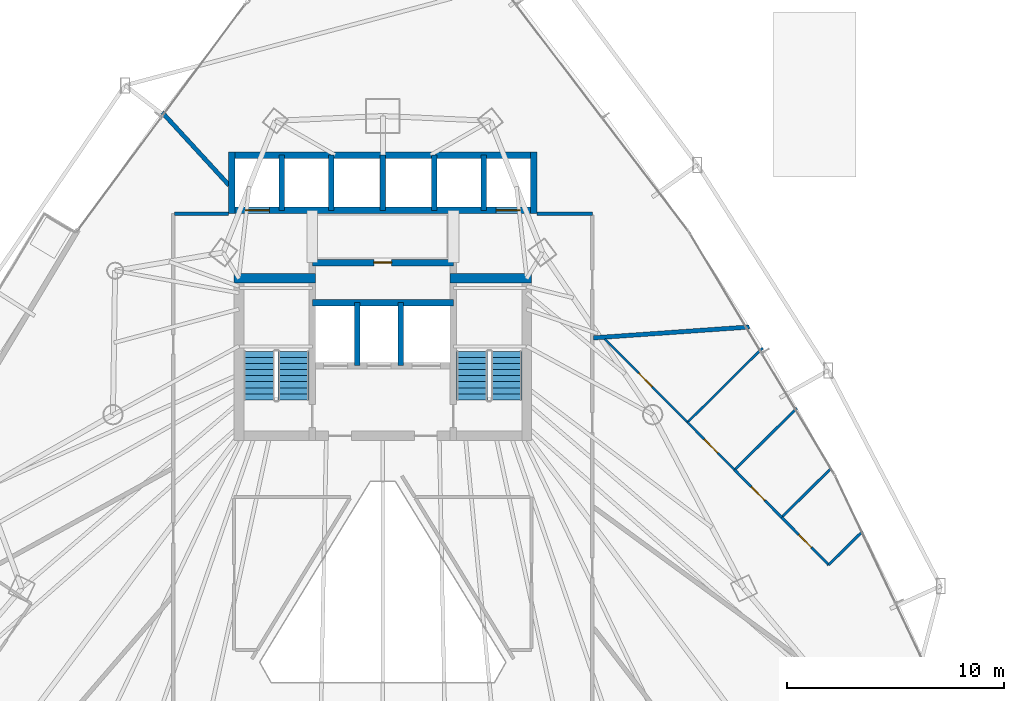
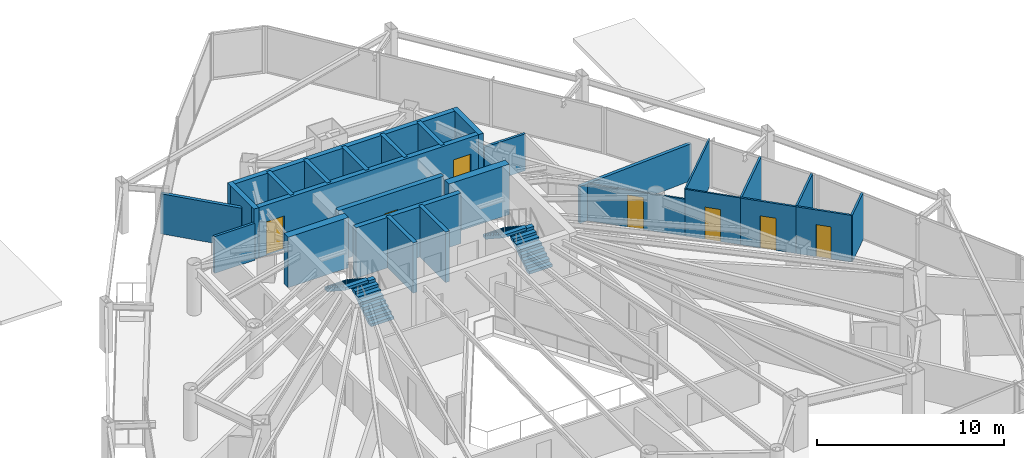
# One storey, part 31 of 35: 27 walls, 7 doors, 4 stair flights, 7 openings, 2 elements without a shape of their own.
"""IFC4 building model written with IfcOpenShell, lengths in metres."""

import ifcopenshell
import ifcopenshell.guid

model = None  # the IFC model being written
_history = None  # IfcOwnerHistory: only IFC2X3 demands one
_inside = {}  # id of a spatial element -> (the spatial element, [elements in it])
_under = {}  # id of a project, library or spatial element -> (it, [spatial elements below it])
_declared = {}  # id of a project -> (the project, [libraries it declares])
_typed = {}  # id of a type object -> (the type object, [elements of that type])
_made_of = {}  # id of a material, layer set ... -> (it, [elements and type objects made of it])


def new_model(schema):
    """Start an empty IFC model of exactly this schema.

    Asked for "IFC4X3", IfcOpenShell would pick the latest addendum, in which some entities
    have other attributes; the version numbers below select the first issue.
    IFC2X3 requires an IfcOwnerHistory on every rooted entity: one is made here for all.
    """
    global model, _history
    if schema == "IFC4X3":
        model = ifcopenshell.file(schema_version=(4, 3, 0, 0))
    else:
        model = ifcopenshell.file(schema=schema)
    _inside.clear()
    _under.clear()
    _declared.clear()
    _typed.clear()
    _made_of.clear()
    _history = None
    if model.schema == "IFC2X3":
        org = make("IfcOrganization", Name="unknown")
        user = make(
            "IfcPersonAndOrganization",
            ThePerson=make("IfcPerson", FamilyName="unknown"),
            TheOrganization=org,
        )
        app = make(
            "IfcApplication",
            ApplicationDeveloper=org,
            Version="unknown",
            ApplicationFullName="unknown",
            ApplicationIdentifier="unknown",
        )
        _history = make(
            "IfcOwnerHistory",
            OwningUser=user,
            OwningApplication=app,
            ChangeAction="ADDED",
            CreationDate=0,
        )
    return model


def make(cls, **values):
    """One entity of the class cls with the attributes given. An attribute that is None is left unset."""
    return model.create_entity(
        cls, **{name: value for name, value in values.items() if value is not None}
    )


def rooted(cls, **values):
    """An entity with a GlobalId (a new one), such as an element, a storey or a relation."""
    return make(cls, GlobalId=ifcopenshell.guid.new(), OwnerHistory=_history, **values)


def si_unit(unit_type, name, prefix=None):
    """IfcSIUnit, for example si_unit("LENGTHUNIT", "METRE", prefix="MILLI")."""
    return make("IfcSIUnit", UnitType=unit_type, Prefix=prefix, Name=name)


def assignment(units):
    """IfcUnitAssignment: the units of a project."""
    return None if units is None else make("IfcUnitAssignment", Units=units)


def point(xyz):
    """IfcCartesianPoint."""
    return None if xyz is None else make("IfcCartesianPoint", Coordinates=xyz)


def direction(xyz):
    """IfcDirection."""
    return None if xyz is None else make("IfcDirection", DirectionRatios=xyz)


def frame(location, z_axis=None, x_axis=None):
    """IfcAxis2Placement3D, a coordinate frame: its origin and axes. An axis left out is left unset."""
    return make(
        "IfcAxis2Placement3D",
        Location=point(location),
        Axis=direction(z_axis),
        RefDirection=direction(x_axis),
    )


def frame_2d(location, x_axis=None):
    """IfcAxis2Placement2D, a coordinate frame in the plane: its origin and x axis."""
    return make(
        "IfcAxis2Placement2D", Location=point(location), RefDirection=direction(x_axis)
    )


def origin():
    """The frame at (0, 0, 0) with its axes left unset."""
    return frame((0.0, 0.0, 0.0))


def place(relative_to, where):
    """IfcLocalPlacement: puts the frame where relative to a parent placement (None: the world)."""
    return make(
        "IfcLocalPlacement", PlacementRelTo=relative_to, RelativePlacement=where
    )


def context(
    kind, dimensions, precision=None, world=None, true_north=None, identifier=None
):
    """IfcGeometricRepresentationContext, for example the 3D "Model" context."""
    return make(
        "IfcGeometricRepresentationContext",
        ContextIdentifier=identifier,
        ContextType=kind,
        CoordinateSpaceDimension=dimensions,
        Precision=precision,
        WorldCoordinateSystem=world,
        TrueNorth=true_north,
    )


def subcontext(parent, identifier, kind, view, scale=None):
    """IfcGeometricRepresentationSubContext, for example "Body" below "Model"."""
    return make(
        "IfcGeometricRepresentationSubContext",
        ContextIdentifier=identifier,
        ContextType=kind,
        ParentContext=parent,
        TargetScale=scale,
        TargetView=view,
    )


def project(units=None, contexts=None):
    """IfcProject with its units and contexts."""
    return rooted(
        "IfcProject",
        Name="project",
        RepresentationContexts=contexts,
        UnitsInContext=assignment(units),
    )


def spatial(cls, under=None, at=None, **own):
    """A site, building, storey or space (cls), placed at a placement, below another one or the project."""
    s = rooted(cls, ObjectPlacement=at, **own)
    if under is not None:
        _under.setdefault(under.id(), (under, []))[1].append(s)
    return s


def polyline(points):
    """IfcPolyline through the points."""
    return make("IfcPolyline", Points=[point(p) for p in points])


def profile(cls, at=None, kind="AREA", **sizes):
    """A parametric profile (cls). Its sizes go by their IFC names, for example OverallWidth=200.0."""
    return make(cls, ProfileType=kind, Position=at, **sizes)


def rectangle(**sizes):
    """IfcRectangleProfileDef."""
    return profile("IfcRectangleProfileDef", **sizes)


def outline(outer, holes=None, kind="AREA"):
    """IfcArbitraryClosedProfileDef: a profile drawn as a closed curve; with holes, ...WithVoids."""
    if holes is None:
        return make("IfcArbitraryClosedProfileDef", ProfileType=kind, OuterCurve=outer)
    return make(
        "IfcArbitraryProfileDefWithVoids",
        ProfileType=kind,
        OuterCurve=outer,
        InnerCurves=holes,
    )


def extrude(swept, where, along, depth):
    """IfcExtrudedAreaSolid: the profile swept, set in the frame where, extruded along a direction by depth."""
    return make(
        "IfcExtrudedAreaSolid",
        SweptArea=swept,
        Position=where,
        ExtrudedDirection=direction(along),
        Depth=depth,
    )


def shape(context_of_items, identifier, shape_type, items):
    """IfcShapeRepresentation: the items that make up one representation, for example the "Body"."""
    return make(
        "IfcShapeRepresentation",
        ContextOfItems=context_of_items,
        RepresentationIdentifier=identifier,
        RepresentationType=shape_type,
        Items=items,
    )


def material(Name=None, Category=None):
    """IfcMaterial."""
    return make("IfcMaterial", Name=Name, Category=Category)


def layer(
    of_material, thickness, ventilated=None, Name=None, Category=None, Priority=None
):
    """IfcMaterialLayer: one layer of a wall or slab, of a material (None: an air gap)."""
    return make(
        "IfcMaterialLayer",
        Material=of_material,
        LayerThickness=thickness,
        IsVentilated=ventilated,
        Name=Name,
        Category=Category,
        Priority=Priority,
    )


def layer_set(layers, Name=None):
    """IfcMaterialLayerSet."""
    return make("IfcMaterialLayerSet", MaterialLayers=layers, LayerSetName=Name)


def made_of(thing, what):
    """Note that an element or type object is made of a material, layer set ...; save() writes the relation."""
    if what is not None:
        _made_of.setdefault(what.id(), (what, []))[1].append(thing)
    return thing


def type_object(cls, material=None, **own):
    """A type object (cls), such as IfcWallType, which elements share."""
    return made_of(rooted(cls, **own), material)


def element(
    cls,
    number,
    at=None,
    inside=None,
    cuts=None,
    type_object=None,
    material=None,
    context=None,
    identifier="Body",
    shape_type=None,
    held_by="IfcProductDefinitionShape",
    body=None,
    shapes=None,
    **own,
):
    """One element of the class cls, such as IfcWall. Its Tag is "e" and its number.

    at: its placement. inside: the storey or other place that contains it. cuts: it is an
    opening in that element (IfcRelVoidsElement). A single representation is given by context,
    identifier, shape_type and body (its items); several are given by shapes. held_by: the class
    of the entity that holds the representations. save() writes the other relations.
    """
    e = rooted(cls, Tag="e%d" % number, ObjectPlacement=at, **own)
    if body is not None:
        shapes = [shape(context, identifier, shape_type, body)]
    if shapes is not None:
        e.Representation = make(held_by, Representations=shapes)
    if inside is not None:
        _inside.setdefault(inside.id(), (inside, []))[1].append(e)
    if cuts is not None:
        rooted(
            "IfcRelVoidsElement", RelatingBuildingElement=cuts, RelatedOpeningElement=e
        )
    if type_object is not None:
        _typed.setdefault(type_object.id(), (type_object, []))[1].append(e)
    return made_of(e, material)


def fill(opening, filler):
    """IfcRelFillsElement: the door or window that sits in an opening."""
    return rooted(
        "IfcRelFillsElement",
        RelatingOpeningElement=opening,
        RelatedBuildingElement=filler,
    )


def aggregate(whole, parts):
    """IfcRelAggregates: a whole, such as a stair, and the parts it consists of."""
    return rooted("IfcRelAggregates", RelatingObject=whole, RelatedObjects=parts)


def save(model, path):
    """Write the relations noted so far, then the file.

    IfcRelAggregates (storeys below a building ...), IfcRelContainedInSpatialStructure (elements
    in a storey), IfcRelDefinesByType, IfcRelAssociatesMaterial and IfcRelDeclares: one each for
    every whole, place, type object, material and project.
    """
    for whole, parts in _under.values():
        aggregate(whole, parts)
    for where, things in _inside.values():
        rooted(
            "IfcRelContainedInSpatialStructure",
            RelatedElements=things,
            RelatingStructure=where,
        )
    for kind, things in _typed.values():
        rooted("IfcRelDefinesByType", RelatedObjects=things, RelatingType=kind)
    for what, things in _made_of.values():
        rooted("IfcRelAssociatesMaterial", RelatedObjects=things, RelatingMaterial=what)
    for by, libraries in _declared.values():
        rooted("IfcRelDeclares", RelatingContext=by, RelatedDefinitions=libraries)
    model.write(path)


model = new_model("IFC4")

# Units and contexts
model_context = context("Model", 3, precision=1e-05, world=origin(), true_north=direction((0.0, 1.0)))
body_context = subcontext(model_context, "Body", "Model", "MODEL_VIEW")
ifc_project = project(units=[si_unit("LENGTHUNIT", "METRE"), si_unit("AREAUNIT", "SQUARE_METRE"), si_unit("VOLUMEUNIT", "CUBIC_METRE"), si_unit("PLANEANGLEUNIT", "RADIAN"), si_unit("MASSUNIT", "GRAM", prefix="KILO")], contexts=[model_context])

# Site, building, storey
site_placement = place(None, origin())
site = spatial("IfcSite", under=ifc_project, at=site_placement, CompositionType="ELEMENT")
building_placement = place(site_placement, origin())
building = spatial("IfcBuilding", under=site, at=building_placement, Name="Orvanel Arch Residences", CompositionType="ELEMENT")
storey_placement = place(building_placement, frame((0.0, 0.0, 26.89990234375)))
storey = spatial("IfcBuildingStorey", under=building, at=storey_placement, Name="L06", CompositionType="ELEMENT", Elevation=26.89990234375)

# Walls
ifc_material_1 = material(Name="Concrete N50 (50 MPa)", Category="concrete")
ifc_layer_1 = layer(ifc_material_1, 0.25)
ifc_layer_set_1 = layer_set([ifc_layer_1], Name="Concrete N50 (50 MPa)")
wall_type_1 = type_object("IfcWallType", Name="SW-CORE-250", PredefinedType="SHEAR", material=ifc_layer_set_1)
for number, where, z_axis, x_axis, name in (
    (1, (31.824951171875, 29.89990234375, 0.0), (0.0, 0.0, 1.0), (0.0, 1.0, 0.0), "L06 Emergency Lift Inter-Shaft Wall F12"),
    (2, (33.824951171875, 29.89990234375, 0.0), (0.0, 0.0, 1.0), (0.0, 1.0, 0.0), "L06 Emergency Lift Inter-Shaft Wall F2G"),
):
    element("IfcWall", number, at=place(storey_placement, frame(where, z_axis=z_axis, x_axis=x_axis)), inside=storey, type_object=wall_type_1, Name=name, PredefinedType="SHEAR", context=body_context, shape_type="SweptSolid", body=[
        extrude(rectangle(XDim=2.900146484375, YDim=0.25, at=frame_2d((1.4501953125, 0.0))), origin(), (0.0, 0.0, 1.0), 3.300048828125),
    ])
for number, where, z_axis, x_axis, name in (
    (3, (28.35009765625, 37.050048828125, 0.0), (0.0, 0.0, 1.0), (0.0, 1.0, 0.0), "L06 Passenger Lift Inter-Shaft Wall P13"),
    (4, (30.625, 37.050048828125, 0.0), (0.0, 0.0, 1.0), (0.0, 1.0, 0.0), "L06 Passenger Lift Inter-Shaft Wall P35"),
    (5, (33.0, 37.050048828125, 0.0), (0.0, 0.0, 1.0), (0.0, 1.0, 0.0), "L06 Passenger Lift Inter-Shaft Wall P56"),
    (6, (35.375, 37.050048828125, 0.0), (0.0, 0.0, 1.0), (0.0, 1.0, 0.0), "L06 Passenger Lift Inter-Shaft Wall P64"),
    (7, (37.64990234375, 37.050048828125, 0.0), (0.0, 0.0, 1.0), (0.0, 1.0, 0.0), "L06 Passenger Lift Inter-Shaft Wall P42"),
):
    element("IfcWall", number, at=place(storey_placement, frame(where, z_axis=z_axis, x_axis=x_axis)), inside=storey, type_object=wall_type_1, Name=name, PredefinedType="SHEAR", context=body_context, shape_type="SweptSolid", body=[
        extrude(rectangle(XDim=2.550048828125, YDim=0.25, at=frame_2d((1.27490234375, 0.0))), origin(), (0.0, 0.0, 1.0), 3.300048828125),
    ])
ifc_material_2 = material(Name="Concrete S80 (80 MPa)", Category="concrete")
ifc_layer_2 = layer(ifc_material_2, 0.300048828125)
ifc_layer_set_2 = layer_set([ifc_layer_2], Name="Concrete S80 (80 MPa)")
wall_type_2 = type_object("IfcWallType", Name="SW-CORE-300", PredefinedType="SHEAR", material=ifc_layer_set_2)
wall_1_placement = place(storey_placement, frame((29.75, 32.800048828125, 0.0), z_axis=(0.0, 0.0, 1.0), x_axis=(1.0, 0.0, 0.0)))
element("IfcWall", 8, at=wall_1_placement, inside=storey, type_object=wall_type_2, Name="L06 Emergency Lift Back Core Shear Wall", PredefinedType="SHEAR", context=body_context, shape_type="SweptSolid", body=[
    extrude(rectangle(XDim=6.5, YDim=0.300048828125, at=frame_2d((3.25, 0.0))), origin(), (0.0, 0.0, 1.0), 3.300048828125),
])

# Wall, opening, door
wall_2_placement = place(storey_placement, frame((29.75, 34.64990234375, 0.0), z_axis=(0.0, 0.0, 1.0), x_axis=(1.0, 0.0, 0.0)))
wall_2 = element("IfcWall", 9, at=wall_2_placement, inside=storey, type_object=wall_type_2, Name="L06 Core Service Band North Shear Wall", PredefinedType="SHEAR", context=body_context, shape_type="SweptSolid", body=[
    extrude(rectangle(XDim=6.5, YDim=0.300048828125, at=frame_2d((3.25, 0.0))), origin(), (0.0, 0.0, 1.0), 3.300048828125),
])
opening_1_placement = place(wall_2_placement, frame((2.840087890625, 0.0, 0.0)))
opening_1 = element("IfcOpeningElement", 10, at=opening_1_placement, cuts=wall_2, Name="Opening DS-082", PredefinedType="OPENING", context=body_context, shape_type="SweptSolid", body=[
    extrude(rectangle(XDim=0.820068359375, YDim=2.10009765625, at=frame_2d((0.41015625, 1.050048828125))), frame((0.0, 0.159912109375, 0.0), z_axis=(0.0, -1.0, 0.0), x_axis=(1.0, 0.0, 0.0)), (0.0, 0.0, 1.0), 0.320068359375),
])
ifc_material_3 = material(Name="Galvanised steel fire-resisting door assembly", Category="steel")
door_type_1 = type_object("IfcDoorType", Name="DR-SVC-820", OperationType="NOTDEFINED", PredefinedType="DOOR", material=ifc_material_3)
door_1_placement = place(opening_1_placement, origin())
door_1 = element("IfcDoor", 11, at=door_1_placement, inside=storey, type_object=door_type_1, Name="DR-L06-CSVC-1 L06 Housekeeping Linen Store Door", OperationType="SINGLE_SWING_LEFT", OverallHeight=2.10009765625, OverallWidth=0.820068359375, PredefinedType="DOOR", context=body_context, shape_type="SweptSolid", body=[
    extrude(rectangle(XDim=0.820068359375, YDim=2.10009765625, at=frame_2d((0.41015625, 1.050048828125))), frame((0.0, 0.02490234375, 0.0), z_axis=(0.0, -1.0, 0.0), x_axis=(1.0, 0.0, 0.0)), (0.0, 0.0, 1.0), 0.050048828125),
])
fill(opening_1, door_1)

# Wall, openings, doors
wall_3_placement = place(storey_placement, frame((40.10009765625, 37.050048828125, 0.0), z_axis=(0.0, 0.0, 1.0), x_axis=(-1.0, 0.0, 0.0)))
wall_3 = element("IfcWall", 12, at=wall_3_placement, inside=storey, type_object=wall_type_2, Name="L06 Passenger Lift Bank Front Shear Wall", PredefinedType="SHEAR", context=body_context, shape_type="SweptSolid", body=[
    extrude(rectangle(XDim=14.2001953125, YDim=0.300048828125, at=frame_2d((7.10009765625, 0.0))), origin(), (0.0, 0.0, 1.0), 3.300048828125),
])
opening_2_placement = place(wall_3_placement, frame((12.324951171875, 0.0, 0.0)))
opening_2 = element("IfcOpeningElement", 13, at=opening_2_placement, cuts=wall_3, Name="Opening LD-110", PredefinedType="OPENING", context=body_context, shape_type="SweptSolid", body=[
    extrude(rectangle(XDim=1.10009765625, YDim=2.199951171875, at=frame_2d((0.550048828125, 1.10009765625))), frame((0.0, 0.159912109375, 0.0), z_axis=(0.0, -1.0, 0.0), x_axis=(1.0, 0.0, 0.0)), (0.0, 0.0, 1.0), 0.320068359375),
])
opening_3_placement = place(wall_3_placement, frame((0.77490234375, 0.0, 0.0)))
opening_3 = element("IfcOpeningElement", 14, at=opening_3_placement, cuts=wall_3, Name="Opening LD-110", PredefinedType="OPENING", context=body_context, shape_type="SweptSolid", body=[
    extrude(rectangle(XDim=1.10009765625, YDim=2.199951171875, at=frame_2d((0.550048828125, 1.10009765625))), frame((0.0, 0.159912109375, 0.0), z_axis=(0.0, -1.0, 0.0), x_axis=(1.0, 0.0, 0.0)), (0.0, 0.0, 1.0), 0.320068359375),
])
door_type_2 = type_object("IfcDoorType", Name="DR-LFT-1100", OperationType="NOTDEFINED", PredefinedType="DOOR", material=ifc_material_3)
door_2_placement = place(opening_2_placement, origin())
door_2 = element("IfcDoor", 15, at=door_2_placement, inside=storey, type_object=door_type_2, Name="LD-P1-L06 L06 Passenger Lift P1 Sliding Landing Door", OperationType="DOUBLE_DOOR_SLIDING", OverallHeight=2.199951171875, OverallWidth=1.10009765625, PredefinedType="DOOR", context=body_context, shape_type="SweptSolid", body=[
    extrude(rectangle(XDim=1.10009765625, YDim=2.199951171875, at=frame_2d((0.550048828125, 1.10009765625))), frame((0.0, 0.02490234375, 0.0), z_axis=(0.0, -1.0, 0.0), x_axis=(1.0, 0.0, 0.0)), (0.0, 0.0, 1.0), 0.050048828125),
])
fill(opening_2, door_2)
door_3_placement = place(opening_3_placement, origin())
door_3 = element("IfcDoor", 16, at=door_3_placement, inside=storey, type_object=door_type_2, Name="LD-P2-L06 L06 Passenger Lift P2 Sliding Landing Door", OperationType="DOUBLE_DOOR_SLIDING", OverallHeight=2.199951171875, OverallWidth=1.10009765625, PredefinedType="DOOR", context=body_context, shape_type="SweptSolid", body=[
    extrude(rectangle(XDim=1.10009765625, YDim=2.199951171875, at=frame_2d((0.550048828125, 1.10009765625))), frame((0.0, 0.02490234375, 0.0), z_axis=(0.0, -1.0, 0.0), x_axis=(1.0, 0.0, 0.0)), (0.0, 0.0, 1.0), 0.050048828125),
])
fill(opening_3, door_3)

# Walls
wall_4_placement = place(storey_placement, frame((25.89990234375, 39.60009765625, 0.0), z_axis=(0.0, 0.0, 1.0), x_axis=(1.0, 0.0, 0.0)))
element("IfcWall", 17, at=wall_4_placement, inside=storey, type_object=wall_type_2, Name="L06 Passenger Lift Bank North Shear Wall", PredefinedType="SHEAR", context=body_context, shape_type="SweptSolid", body=[
    extrude(rectangle(XDim=14.2001953125, YDim=0.300048828125, at=frame_2d((7.10009765625, 0.0))), origin(), (0.0, 0.0, 1.0), 3.300048828125),
])
for number, where, z_axis, x_axis, name in (
    (18, (26.050048828125, 36.89990234375, 0.0), (0.0, 0.0, 1.0), (0.0, 1.0, 0.0), "L06 Passenger Lift Bank West Shear Wall"),
    (19, (39.949951171875, 36.89990234375, 0.0), (0.0, 0.0, 1.0), (0.0, 1.0, 0.0), "L06 Passenger Lift Bank East Shear Wall"),
):
    element("IfcWall", number, at=place(storey_placement, frame(where, z_axis=z_axis, x_axis=x_axis)), inside=storey, type_object=wall_type_2, Name=name, PredefinedType="SHEAR", context=body_context, shape_type="SweptSolid", body=[
        extrude(rectangle(XDim=2.85009765625, YDim=0.300048828125, at=frame_2d((1.425048828125, 0.0))), origin(), (0.0, 0.0, 1.0), 3.300048828125),
    ])
ifc_layer_3 = layer(ifc_material_2, 0.449951171875)
ifc_layer_set_3 = layer_set([ifc_layer_3], Name="Concrete S80 (80 MPa)")
wall_type_3 = type_object("IfcWallType", Name="SW-CORE-450", PredefinedType="SHEAR", material=ifc_layer_set_3)
for number, where, z_axis, x_axis, name in (
    (20, (26.14990234375, 33.925048828125, 0.0), (0.0, 0.0, 1.0), (1.0, 0.0, 0.0), "L06 West Stair North Shear Wall"),
    (21, (36.10009765625, 33.925048828125, 0.0), (0.0, 0.0, 1.0), (1.0, 0.0, 0.0), "L06 East Stair North Shear Wall"),
):
    element("IfcWall", number, at=place(storey_placement, frame(where, z_axis=z_axis, x_axis=x_axis)), inside=storey, type_object=wall_type_3, Name=name, PredefinedType="SHEAR", context=body_context, shape_type="SweptSolid", body=[
        extrude(rectangle(XDim=3.75, YDim=0.449951171875, at=frame_2d((1.875, 0.0))), origin(), (0.0, 0.0, 1.0), 3.300048828125),
    ])
ifc_material_4 = material(Name="Fire-rated plasterboard lined steel stud partition", Category="steel")
ifc_layer_4 = layer(ifc_material_4, 0.14990234375)
ifc_layer_set_4 = layer_set([ifc_layer_4], Name="Fire-rated plasterboard lined steel stud partition")
wall_type_4 = type_object("IfcWallType", Name="W-COR-150", PredefinedType="PARTITIONING", material=ifc_layer_set_4)
wall_5_placement = place(storey_placement, frame((40.10009765625, 36.89990234375, 0.0), z_axis=(0.0, 0.0, 1.0), x_axis=(1.0, 0.0, 0.0)))
element("IfcWall", 22, at=wall_5_placement, inside=storey, type_object=wall_type_4, Name="L06 Corridor Fire-Rated Partition", PredefinedType="PARTITIONING", context=body_context, shape_type="SweptSolid", body=[
    extrude(rectangle(XDim=2.5498046875, YDim=0.14990234375, at=frame_2d((1.27490234375, 0.0))), origin(), (0.0, 0.0, 1.0), 2.4130859375),
])
wall_6_placement = place(storey_placement, frame((23.409912109375, 36.89990234375, 0.0), z_axis=(0.0, 0.0, 1.0), x_axis=(1.0, 0.0, 0.0)))
element("IfcWall", 23, at=wall_6_placement, inside=storey, type_object=wall_type_4, Name="L06 Corridor Fire-Rated Partition", PredefinedType="PARTITIONING", context=body_context, shape_type="SweptSolid", body=[
    extrude(rectangle(XDim=2.489990234375, YDim=0.14990234375, at=frame_2d((1.2451171875, 0.0))), origin(), (0.0, 0.0, 1.0), 2.4130859375),
])
ifc_layer_5 = layer(ifc_material_4, 0.199951171875)
ifc_layer_set_5 = layer_set([ifc_layer_5], Name="Fire-rated plasterboard lined steel stud partition")
wall_type_5 = type_object("IfcWallType", Name="W-DEM-200", PredefinedType="PARTITIONING", material=ifc_layer_set_5)
wall_7_placement = place(storey_placement, frame((49.881103515625, 31.679931640625, 0.0), z_axis=(0.0, 0.0, 1.0), x_axis=(-0.997568680722, -0.069690223431, 0.0)))
element("IfcWall", 24, at=wall_7_placement, inside=storey, type_object=wall_type_5, Name="L06 Inter-Tenancy Acoustic Demising Wall", PredefinedType="PARTITIONING", context=body_context, shape_type="SweptSolid", body=[
    extrude(rectangle(XDim=7.188720703125, YDim=0.199951171875, at=frame_2d((3.59423828125, 0.0))), origin(), (0.0, 0.0, 1.0), 2.4130859375),
])
wall_8_placement = place(storey_placement, frame((25.9150390625, 38.212890625, 0.0), z_axis=(0.0, 0.0, 1.0), x_axis=(-0.676584398078, 0.736365094418, 0.0)))
element("IfcWall", 25, at=wall_8_placement, inside=storey, type_object=wall_type_5, Name="L06 Inter-Tenancy Acoustic Demising Wall", PredefinedType="PARTITIONING", context=body_context, shape_type="SweptSolid", body=[
    extrude(rectangle(XDim=4.549560546875, YDim=0.199951171875, at=frame_2d((2.27490234375, 0.0))), origin(), (0.0, 0.0, 1.0), 2.619140625),
])

# Wall, opening, door
ifc_material_5 = material(Name="Acoustic plasterboard lined twin-stud partition", Category="gypsum")
ifc_layer_6 = layer(ifc_material_5, 0.10009765625)
ifc_layer_set_6 = layer_set([ifc_layer_6], Name="Acoustic plasterboard lined twin-stud partition")
wall_type_6 = type_object("IfcWallType", Name="W-INT-100", PredefinedType="PARTITIONING", material=ifc_layer_set_6)
wall_9_placement = place(storey_placement, frame((47.034912109375, 27.285888671875, 0.0), z_axis=(0.0, 0.0, 1.0), x_axis=(0.703849557614, -0.710349069294, 0.0)))
wall_9 = element("IfcWall", 26, at=wall_9_placement, inside=storey, type_object=wall_type_6, Name="L06 Flat F Internal Partition", PredefinedType="PARTITIONING", context=body_context, shape_type="SweptSolid", body=[
    extrude(rectangle(XDim=3.080078125, YDim=0.10009765625, at=frame_2d((1.5400390625, 0.0))), origin(), (0.0, 0.0, 1.0), 3.06005859375),
])
opening_4_placement = place(wall_9_placement, frame((1.10009765625, 0.0, 0.0)))
opening_4 = element("IfcOpeningElement", 27, at=opening_4_placement, cuts=wall_9, Name="Opening DI-088", PredefinedType="OPENING", context=body_context, shape_type="SweptSolid", body=[
    extrude(rectangle(XDim=0.8798828125, YDim=2.10009765625, at=frame_2d((0.43994140625, 1.050048828125))), frame((0.0, 0.06005859375, 0.0), z_axis=(0.0, -1.0, 0.0), x_axis=(1.0, 0.0, 0.0)), (0.0, 0.0, 1.0), 0.1201171875),
])
ifc_material_6 = material(Name="Solid-core European oak veneer fire door leaf", Category="wood")
door_type_3 = type_object("IfcDoorType", Name="DR-INT-880", OperationType="NOTDEFINED", PredefinedType="DOOR", material=ifc_material_6)
door_4_placement = place(opening_4_placement, origin())
door_4 = element("IfcDoor", 28, at=door_4_placement, inside=storey, type_object=door_type_3, Name="DR-L06-F-BED1 L06 Flat F Bedroom 1 Door", OperationType="SINGLE_SWING_LEFT", OverallHeight=2.10009765625, OverallWidth=0.8798828125, PredefinedType="DOOR", context=body_context, shape_type="SweptSolid", body=[
    extrude(rectangle(XDim=0.8798828125, YDim=2.10009765625, at=frame_2d((0.43994140625, 1.050048828125))), frame((0.0, 0.02490234375, 0.0), z_axis=(0.0, -1.0, 0.0), x_axis=(1.0, 0.0, 0.0)), (0.0, 0.0, 1.0), 0.050048828125),
])
fill(opening_4, door_4)

wall_10_placement = place(storey_placement, frame((43.22509765625, 31.1298828125, 0.0), z_axis=(0.0, 0.0, 1.0), x_axis=(0.703942028385, -0.710257432677, 0.0)))
wall_10 = element("IfcWall", 29, at=wall_10_placement, inside=storey, type_object=wall_type_6, Name="L06 Flat F Internal Partition", PredefinedType="PARTITIONING", context=body_context, shape_type="SweptSolid", body=[
    extrude(rectangle(XDim=5.412109375, YDim=0.10009765625, at=frame_2d((2.7060546875, 0.0))), origin(), (0.0, 0.0, 1.0), 2.4130859375),
])
opening_5_placement = place(wall_10_placement, frame((2.216064453125, 0.0, 0.0)))
opening_5 = element("IfcOpeningElement", 30, at=opening_5_placement, cuts=wall_10, Name="Opening DI-088", PredefinedType="OPENING", context=body_context, shape_type="SweptSolid", body=[
    extrude(rectangle(XDim=0.8798828125, YDim=2.10009765625, at=frame_2d((0.43994140625, 1.050048828125))), frame((0.0, 0.06005859375, 0.0), z_axis=(0.0, -1.0, 0.0), x_axis=(1.0, 0.0, 0.0)), (0.0, 0.0, 1.0), 0.1201171875),
])
door_5_placement = place(opening_5_placement, origin())
door_5 = element("IfcDoor", 31, at=door_5_placement, inside=storey, type_object=door_type_3, Name="DR-L06-F-DIN2 L06 Flat F Dining Room 2 Door", OperationType="SINGLE_SWING_LEFT", OverallHeight=2.10009765625, OverallWidth=0.8798828125, PredefinedType="DOOR", context=body_context, shape_type="SweptSolid", body=[
    extrude(rectangle(XDim=0.8798828125, YDim=2.10009765625, at=frame_2d((0.43994140625, 1.050048828125))), frame((0.0, 0.02490234375, 0.0), z_axis=(0.0, -1.0, 0.0), x_axis=(1.0, 0.0, 0.0)), (0.0, 0.0, 1.0), 0.050048828125),
])
fill(opening_5, door_5)

# Wall
wall_11_placement = place(storey_placement, frame((47.034912109375, 27.285888671875, 0.0), z_axis=(0.0, 0.0, 1.0), x_axis=(0.71028193183, 0.703917308578, 0.0)))
element("IfcWall", 32, at=wall_11_placement, inside=storey, type_object=wall_type_6, Name="L06 Flat F Internal Partition", PredefinedType="PARTITIONING", context=body_context, shape_type="SweptSolid", body=[
    extrude(rectangle(XDim=4.87158203125, YDim=0.10009765625, at=frame_2d((2.435791015625, 0.0))), origin(), (0.0, 0.0, 1.0), 3.06005859375),
])

# Wall, opening, door
ifc_layer_7 = layer(ifc_material_5, 0.1201171875)
ifc_layer_set_7 = layer_set([ifc_layer_7], Name="Acoustic plasterboard lined twin-stud partition")
wall_type_7 = type_object("IfcWallType", Name="W-WET-120", PredefinedType="PARTITIONING", material=ifc_layer_set_7)
wall_12_placement = place(storey_placement, frame((51.37109375, 22.910888671875, 0.0), z_axis=(0.0, 0.0, 1.0), x_axis=(0.703849557614, -0.710349069294, 0.0)))
wall_12 = element("IfcWall", 33, at=wall_12_placement, inside=storey, type_object=wall_type_7, Name="L06 Flat F Bathroom Partition", PredefinedType="PARTITIONING", context=body_context, shape_type="SweptSolid", body=[
    extrude(rectangle(XDim=3.080078125, YDim=0.1201171875, at=frame_2d((1.5400390625, 0.0))), origin(), (0.0, 0.0, 1.0), 3.06005859375),
])
opening_6_placement = place(wall_12_placement, frame((1.1298828125, 0.0, 0.0)))
opening_6 = element("IfcOpeningElement", 34, at=opening_6_placement, cuts=wall_12, Name="Opening DW-082", PredefinedType="OPENING", context=body_context, shape_type="SweptSolid", body=[
    extrude(rectangle(XDim=0.820068359375, YDim=2.10009765625, at=frame_2d((0.41015625, 1.050048828125))), frame((0.0, 0.070068359375, 0.0), z_axis=(0.0, -1.0, 0.0), x_axis=(1.0, 0.0, 0.0)), (0.0, 0.0, 1.0), 0.14013671875),
])
door_type_4 = type_object("IfcDoorType", Name="DR-WET-820", OperationType="NOTDEFINED", PredefinedType="DOOR", material=ifc_material_6)
door_6_placement = place(opening_6_placement, origin())
door_6 = element("IfcDoor", 35, at=door_6_placement, inside=storey, type_object=door_type_4, Name="DR-L06-F-BATH L06 Flat F Bathroom Door", OperationType="SINGLE_SWING_RIGHT", OverallHeight=2.10009765625, OverallWidth=0.820068359375, PredefinedType="DOOR", context=body_context, shape_type="SweptSolid", body=[
    extrude(rectangle(XDim=0.820068359375, YDim=2.10009765625, at=frame_2d((0.41015625, 1.050048828125))), frame((0.0, 0.02490234375, 0.0), z_axis=(0.0, -1.0, 0.0), x_axis=(1.0, 0.0, 0.0)), (0.0, 0.0, 1.0), 0.050048828125),
])
fill(opening_6, door_6)

# Wall
wall_13_placement = place(storey_placement, frame((53.5390625, 20.722900390625, 0.0), z_axis=(0.0, 0.0, 1.0), x_axis=(0.710218316827, 0.703981492969, 0.0)))
element("IfcWall", 36, at=wall_13_placement, inside=storey, type_object=wall_type_7, Name="L06 Flat F Bathroom Partition", PredefinedType="PARTITIONING", context=body_context, shape_type="SweptSolid", body=[
    extrude(rectangle(XDim=2.192138671875, YDim=0.1201171875, at=frame_2d((1.09619140625, 0.0))), origin(), (0.0, 0.0, 1.0), 3.06005859375),
])

# Wall, opening, door
wall_14_placement = place(storey_placement, frame((49.202880859375, 25.097900390625, 0.0), z_axis=(0.0, 0.0, 1.0), x_axis=(0.704048077172, -0.710152311149, 0.0)))
wall_14 = element("IfcWall", 37, at=wall_14_placement, inside=storey, type_object=wall_type_7, Name="L06 Flat F Internal Partition", PredefinedType="PARTITIONING", context=body_context, shape_type="SweptSolid", body=[
    extrude(rectangle(XDim=3.07958984375, YDim=0.1201171875, at=frame_2d((1.539794921875, 0.0))), origin(), (0.0, 0.0, 1.0), 3.06005859375),
])
opening_7_placement = place(wall_14_placement, frame((1.10009765625, 0.0, 0.0)))
opening_7 = element("IfcOpeningElement", 38, at=opening_7_placement, cuts=wall_14, Name="Opening DI-088", PredefinedType="OPENING", context=body_context, shape_type="SweptSolid", body=[
    extrude(rectangle(XDim=0.8798828125, YDim=2.10009765625, at=frame_2d((0.43994140625, 1.050048828125))), frame((0.0, 0.070068359375, 0.0), z_axis=(0.0, -1.0, 0.0), x_axis=(1.0, 0.0, 0.0)), (0.0, 0.0, 1.0), 0.14013671875),
])
door_7_placement = place(opening_7_placement, origin())
door_7 = element("IfcDoor", 39, at=door_7_placement, inside=storey, type_object=door_type_3, Name="DR-L06-F-KIT L06 Flat F Kitchen Door", OperationType="SINGLE_SWING_LEFT", OverallHeight=2.10009765625, OverallWidth=0.8798828125, PredefinedType="DOOR", context=body_context, shape_type="SweptSolid", body=[
    extrude(rectangle(XDim=0.8798828125, YDim=2.10009765625, at=frame_2d((0.43994140625, 1.050048828125))), frame((0.0, 0.02490234375, 0.0), z_axis=(0.0, -1.0, 0.0), x_axis=(1.0, 0.0, 0.0)), (0.0, 0.0, 1.0), 0.050048828125),
])
fill(opening_7, door_7)

# Walls
wall_15_placement = place(storey_placement, frame((51.37109375, 22.910888671875, 0.0), z_axis=(0.0, 0.0, 1.0), x_axis=(0.710199123854, 0.704000855452, 0.0)))
element("IfcWall", 40, at=wall_15_placement, inside=storey, type_object=wall_type_7, Name="L06 Flat F Bathroom Partition", PredefinedType="PARTITIONING", context=body_context, shape_type="SweptSolid", body=[
    extrude(rectangle(XDim=3.1904296875, YDim=0.1201171875, at=frame_2d((1.59521484375, 0.0))), origin(), (0.0, 0.0, 1.0), 3.06005859375),
])
wall_16_placement = place(storey_placement, frame((49.202880859375, 25.097900390625, 0.0), z_axis=(0.0, 0.0, 1.0), x_axis=(0.710215428297, 0.703984407078, 0.0)))
element("IfcWall", 41, at=wall_16_placement, inside=storey, type_object=wall_type_7, Name="L06 Flat F Internal Partition", PredefinedType="PARTITIONING", context=body_context, shape_type="SweptSolid", body=[
    extrude(rectangle(XDim=4.03564453125, YDim=0.1201171875, at=frame_2d((2.017822265625, 0.0))), origin(), (0.0, 0.0, 1.0), 3.06005859375),
])

# Stair, stair flights
ifc_material_7 = material(Name="Precast concrete N50 (50 MPa)", Category="concrete")
stair_type = type_object("IfcStairType", Name="STR-DOG-184", PredefinedType="USERDEFINED", material=ifc_material_7)
stair_1_placement = place(storey_placement, origin())
stair_1 = element("IfcStair", 42, at=stair_1_placement, inside=storey, type_object=stair_type, Name="L06 Fire-Isolated Core Exit Stair 1", ObjectType="TWO_RETURN_STAIR", PredefinedType="USERDEFINED")
stair_flight_type_1 = type_object("IfcStairFlightType", Name="SFL-C1-184", PredefinedType="STRAIGHT", material=ifc_material_7)
stair_flight_1_placement = place(storey_placement, frame((28.889892578125, 28.320068359375, 0.0), z_axis=(0.0, 0.0, 1.0), x_axis=(0.0, 1.0, 0.0)))
stair_flight_1 = element("IfcStairFlight", 43, at=stair_flight_1_placement, type_object=stair_flight_type_1, Name="ST-1 flight 1", NumberOfRisers=9, NumberOfTreads=8, PredefinedType="STRAIGHT", RiserHeight=0.183333333, TreadLength=0.28, context=body_context, shape_type="SweptSolid", body=[
    extrude(outline(polyline([(0.0, 0.0), (0.0, 0.183349609375), (0.280029296875, 0.183349609375), (0.280029296875, 0.36669921875), (0.56005859375, 0.36669921875), (0.56005859375, 0.550048828125), (0.840087890625, 0.550048828125), (0.840087890625, 0.7333984375), (1.1201171875, 0.7333984375), (1.1201171875, 0.916748046875), (1.39990234375, 0.916748046875), (1.39990234375, 1.10009765625), (1.679931640625, 1.10009765625), (1.679931640625, 1.283447265625), (1.9599609375, 1.283447265625), (1.9599609375, 1.466552734375), (2.239990234375, 1.466552734375), (2.239990234375, 1.64990234375), (2.239990234375, 1.28759765625), (0.273681640625, 0.0), (0.0, 0.0)])), frame((0.0, 0.7099609375, 0.0), z_axis=(0.0, -1.0, 0.0), x_axis=(1.0, 0.0, 0.0)), (0.0, 0.0, 1.0), 1.419921875),
])
stair_flight_2_placement = place(storey_placement, frame((27.31005859375, 30.56005859375, 1.650146484375), z_axis=(0.0, 0.0, 1.0), x_axis=(0.0, -1.0, 0.0)))
stair_flight_2 = element("IfcStairFlight", 44, at=stair_flight_2_placement, type_object=stair_flight_type_1, Name="ST-1 flight 2", NumberOfRisers=9, NumberOfTreads=8, PredefinedType="STRAIGHT", RiserHeight=0.183333333, TreadLength=0.28, context=body_context, shape_type="SweptSolid", body=[
    extrude(outline(polyline([(0.0, 0.0), (0.0, 0.183349609375), (0.280029296875, 0.183349609375), (0.280029296875, 0.36669921875), (0.56005859375, 0.36669921875), (0.56005859375, 0.550048828125), (0.840087890625, 0.550048828125), (0.840087890625, 0.7333984375), (1.1201171875, 0.7333984375), (1.1201171875, 0.916748046875), (1.39990234375, 0.916748046875), (1.39990234375, 1.10009765625), (1.679931640625, 1.10009765625), (1.679931640625, 1.283447265625), (1.9599609375, 1.283447265625), (1.9599609375, 1.466552734375), (2.239990234375, 1.466552734375), (2.239990234375, 1.64990234375), (2.239990234375, 1.28759765625), (0.273681640625, 0.0), (0.0, 0.0)])), frame((0.0, 0.7099609375, 0.0), z_axis=(0.0, -1.0, 0.0), x_axis=(1.0, 0.0, 0.0)), (0.0, 0.0, 1.0), 1.419921875),
])
aggregate(stair_1, [stair_flight_1, stair_flight_2])

stair_2_placement = place(storey_placement, origin())
stair_2 = element("IfcStair", 45, at=stair_2_placement, inside=storey, type_object=stair_type, Name="L06 Fire-Isolated Core Exit Stair 2", ObjectType="TWO_RETURN_STAIR", PredefinedType="USERDEFINED")
stair_flight_type_2 = type_object("IfcStairFlightType", Name="SFL-C2-184", PredefinedType="STRAIGHT", material=ifc_material_7)
stair_flight_3_placement = place(storey_placement, frame((38.68994140625, 28.320068359375, 0.0), z_axis=(0.0, 0.0, 1.0), x_axis=(0.0, 1.0, 0.0)))
stair_flight_3 = element("IfcStairFlight", 46, at=stair_flight_3_placement, type_object=stair_flight_type_2, Name="ST-2 flight 1", NumberOfRisers=9, NumberOfTreads=8, PredefinedType="STRAIGHT", RiserHeight=0.183333333, TreadLength=0.28, context=body_context, shape_type="SweptSolid", body=[
    extrude(outline(polyline([(0.0, 0.0), (0.0, 0.183349609375), (0.280029296875, 0.183349609375), (0.280029296875, 0.36669921875), (0.56005859375, 0.36669921875), (0.56005859375, 0.550048828125), (0.840087890625, 0.550048828125), (0.840087890625, 0.7333984375), (1.1201171875, 0.7333984375), (1.1201171875, 0.916748046875), (1.39990234375, 0.916748046875), (1.39990234375, 1.10009765625), (1.679931640625, 1.10009765625), (1.679931640625, 1.283447265625), (1.9599609375, 1.283447265625), (1.9599609375, 1.466552734375), (2.239990234375, 1.466552734375), (2.239990234375, 1.64990234375), (2.239990234375, 1.28759765625), (0.273681640625, 0.0), (0.0, 0.0)])), frame((0.0, 0.7099609375, 0.0), z_axis=(0.0, -1.0, 0.0), x_axis=(1.0, 0.0, 0.0)), (0.0, 0.0, 1.0), 1.419921875),
])
stair_flight_4_placement = place(storey_placement, frame((37.110107421875, 30.56005859375, 1.650146484375), z_axis=(0.0, 0.0, 1.0), x_axis=(0.0, -1.0, 0.0)))
stair_flight_4 = element("IfcStairFlight", 47, at=stair_flight_4_placement, type_object=stair_flight_type_2, Name="ST-2 flight 2", NumberOfRisers=9, NumberOfTreads=8, PredefinedType="STRAIGHT", RiserHeight=0.183333333, TreadLength=0.28, context=body_context, shape_type="SweptSolid", body=[
    extrude(outline(polyline([(0.0, 0.0), (0.0, 0.183349609375), (0.280029296875, 0.183349609375), (0.280029296875, 0.36669921875), (0.56005859375, 0.36669921875), (0.56005859375, 0.550048828125), (0.840087890625, 0.550048828125), (0.840087890625, 0.7333984375), (1.1201171875, 0.7333984375), (1.1201171875, 0.916748046875), (1.39990234375, 0.916748046875), (1.39990234375, 1.10009765625), (1.679931640625, 1.10009765625), (1.679931640625, 1.283447265625), (1.9599609375, 1.283447265625), (1.9599609375, 1.466552734375), (2.239990234375, 1.466552734375), (2.239990234375, 1.64990234375), (2.239990234375, 1.28759765625), (0.273681640625, 0.0), (0.0, 0.0)])), frame((0.0, 0.7099609375, 0.0), z_axis=(0.0, -1.0, 0.0), x_axis=(1.0, 0.0, 0.0)), (0.0, 0.0, 1.0), 1.419921875),
])
aggregate(stair_2, [stair_flight_3, stair_flight_4])

save(model, "model.ifc")
